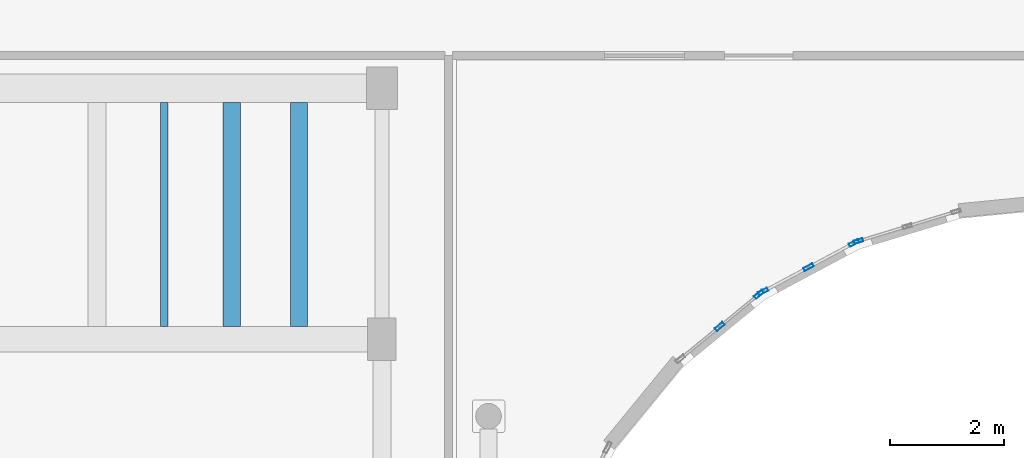
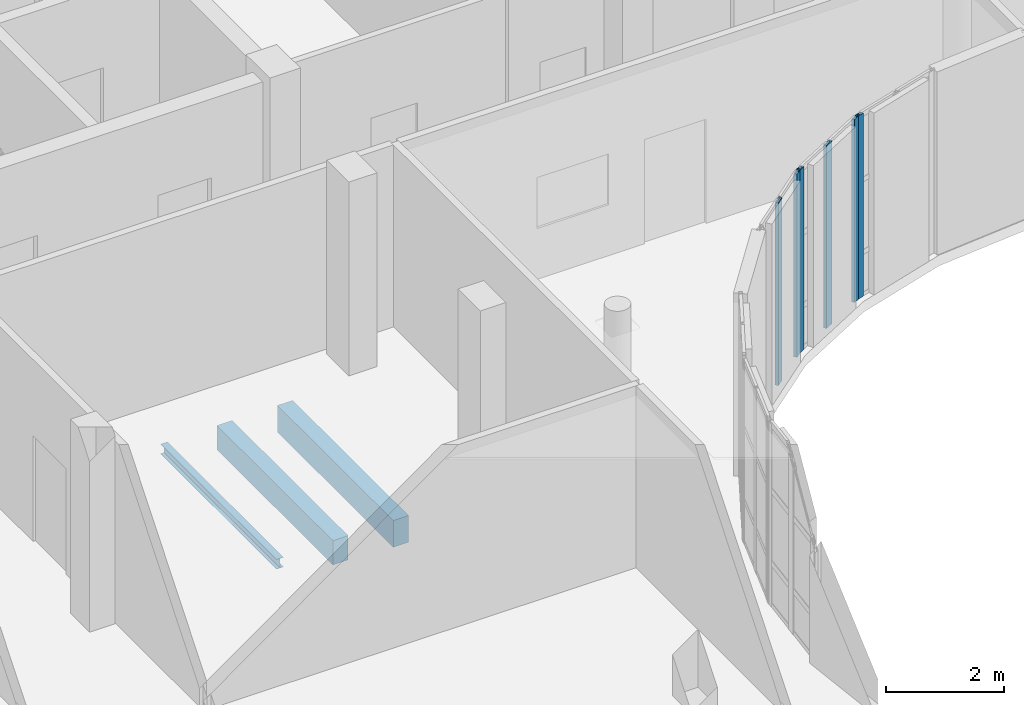
# One storey, part 37 of 89: 6 members, 3 beams, 3 elements without a shape of their own.
"""IFC4 building model written with IfcOpenShell, lengths in metres."""

from ifc_helpers import new_model, si_unit, direction, frame, origin, origin_2d, place, context, subcontext, project, spatial, rectangle, hollow_rectangle, i_section, extrude, material, layer, layer_set, material_profile, profile_set, type_object, element, aggregate, save


model = new_model("IFC4")

# Units and contexts
model_context = context("Model", 3, precision=1e-05, world=origin(), true_north=direction((0.0, 1.0)))
body_context = subcontext(model_context, "Body", "Model", "MODEL_VIEW")
ifc_project = project(units=[si_unit("LENGTHUNIT", "METRE"), si_unit("AREAUNIT", "SQUARE_METRE"), si_unit("VOLUMEUNIT", "CUBIC_METRE"), si_unit("PLANEANGLEUNIT", "RADIAN"), si_unit("MASSUNIT", "GRAM", prefix="KILO")], contexts=[model_context])

# Site, building, storey
site_placement = place(None, origin())
site = spatial("IfcSite", under=ifc_project, at=site_placement, CompositionType="ELEMENT")
building_placement = place(site_placement, origin())
building = spatial("IfcBuilding", under=site, at=building_placement, Name="Kelanivale Promenade Academy", CompositionType="ELEMENT")
storey_placement = place(building_placement, frame((0.0, 0.0, 12.199951171875)))
storey = spatial("IfcBuildingStorey", under=building, at=storey_placement, Name="L03", CompositionType="ELEMENT", Elevation=12.199951171875)

# Curtain wall, member
ifc_material_1 = material(Name="Bronze anodised aluminium and solar-control low-E glass", Category="aluminium")
ifc_layer_1 = layer(ifc_material_1, 0.179931640625)
ifc_layer_set_1 = layer_set([ifc_layer_1], Name="Bronze anodised aluminium and solar-control low-E glass")
curtain_wall_type_1 = type_object("IfcCurtainWallType", Name="CW-17 Curtain Wall 1950mm Module", PredefinedType="USERDEFINED", material=ifc_layer_set_1)
curtain_wall_1_placement = place(storey_placement, origin())
curtain_wall_1 = element("IfcCurtainWall", 1, at=curtain_wall_1_placement, inside=storey, type_object=curtain_wall_type_1, Name="L03 courtyard curtain wall CW-17", ObjectType="COURTYARD SCREEN GLAZING", PredefinedType="USERDEFINED")
ifc_material_2 = material(Name="Bronze anodised aluminium EN AW-6063 T6", Category="aluminium")
ifc_material_profile_1 = material_profile(ifc_material_2, hollow_rectangle(XDim=0.06005859375, YDim=0.159912109375, WallThickness=0.00390625, at=origin_2d()), Name="ALU 60x160x4.0")
ifc_profile_set_1 = profile_set([ifc_material_profile_1], Name="Bronze anodised aluminium EN AW-6063 T6")
member_type_1 = type_object("IfcMemberType", Name="CWM-01 ALU 60x160x4.0", PredefinedType="MULLION", material=ifc_profile_set_1)
member_1_placement = place(storey_placement, frame((95.152587890625, 65.7197265625, 0.0), z_axis=(0.0, 0.0, 1.0), x_axis=(0.290127576893, -0.956987977524, 0.0)))
member_1 = element("IfcMember", 2, at=member_1_placement, type_object=member_type_1, Name="CW-17 mullion 3", PredefinedType="MULLION", context=body_context, shape_type="SweptSolid", body=[
    extrude(hollow_rectangle(XDim=0.06005859375, YDim=0.159912109375, WallThickness=0.00390625, at=origin_2d()), origin(), (0.0, 0.0, 1.0), 3.780029296875),
])
aggregate(curtain_wall_1, [member_1])

# Curtain wall, members
ifc_layer_2 = layer(ifc_material_1, 0.159912109375)
ifc_layer_set_2 = layer_set([ifc_layer_2], Name="Bronze anodised aluminium and solar-control low-E glass")
curtain_wall_type_2 = type_object("IfcCurtainWallType", Name="CW-18 Curtain Wall 1200mm Module", PredefinedType="USERDEFINED", material=ifc_layer_set_2)
curtain_wall_2_placement = place(storey_placement, origin())
curtain_wall_2 = element("IfcCurtainWall", 3, at=curtain_wall_2_placement, inside=storey, type_object=curtain_wall_type_2, Name="L03 courtyard curtain wall CW-18", ObjectType="COURTYARD SCREEN GLAZING", PredefinedType="USERDEFINED")
ifc_material_profile_2 = material_profile(ifc_material_2, hollow_rectangle(XDim=0.06005859375, YDim=0.179931640625, WallThickness=0.00390625, at=origin_2d()), Name="ALU 60x180x4.0")
ifc_profile_set_2 = profile_set([ifc_material_profile_2], Name="Bronze anodised aluminium EN AW-6063 T6")
member_type_2 = type_object("IfcMemberType", Name="CWM-02 ALU 60x180x4.0", PredefinedType="MULLION", material=ifc_profile_set_2)
member_2_placement = place(storey_placement, frame((95.072509765625, 65.685791015625, 0.0), z_axis=(0.0, 0.0, 1.0), x_axis=(0.471312481286, -0.881966294698, 0.0)))
member_2 = element("IfcMember", 4, at=member_2_placement, type_object=member_type_2, Name="CW-18 mullion 1", PredefinedType="MULLION", context=body_context, shape_type="SweptSolid", body=[
    extrude(hollow_rectangle(XDim=0.06005859375, YDim=0.179931640625, WallThickness=0.00390625, at=origin_2d()), origin(), (0.0, 0.0, 1.0), 3.780029296875),
])
member_3_placement = place(storey_placement, frame((94.277587890625, 65.260986328125, 0.0), z_axis=(0.0, 0.0, 1.0), x_axis=(0.471312481286, -0.881966294698, 0.0)))
member_3 = element("IfcMember", 5, at=member_3_placement, type_object=member_type_2, Name="CW-18 mullion 2", PredefinedType="MULLION", context=body_context, shape_type="SweptSolid", body=[
    extrude(hollow_rectangle(XDim=0.06005859375, YDim=0.179931640625, WallThickness=0.00390625, at=origin_2d()), origin(), (0.0, 0.0, 1.0), 3.780029296875),
])
member_4_placement = place(storey_placement, frame((93.482421875, 64.836181640625, 0.0), z_axis=(0.0, 0.0, 1.0), x_axis=(0.471312481286, -0.881966294698, 0.0)))
member_4 = element("IfcMember", 6, at=member_4_placement, type_object=member_type_2, Name="CW-18 mullion 3", PredefinedType="MULLION", context=body_context, shape_type="SweptSolid", body=[
    extrude(hollow_rectangle(XDim=0.06005859375, YDim=0.179931640625, WallThickness=0.00390625, at=origin_2d()), origin(), (0.0, 0.0, 1.0), 3.780029296875),
])
aggregate(curtain_wall_2, [member_2, member_3, member_4])

ifc_layer_3 = layer(ifc_material_1, 0.169921875)
ifc_layer_set_3 = layer_set([ifc_layer_3], Name="Bronze anodised aluminium and solar-control low-E glass")
curtain_wall_type_3 = type_object("IfcCurtainWallType", Name="CW-19 Curtain Wall 1350mm Module", PredefinedType="USERDEFINED", material=ifc_layer_set_3)
curtain_wall_3_placement = place(storey_placement, origin())
curtain_wall_3 = element("IfcCurtainWall", 7, at=curtain_wall_3_placement, inside=storey, type_object=curtain_wall_type_3, Name="L03 courtyard curtain wall CW-19", ObjectType="COURTYARD SCREEN GLAZING", PredefinedType="USERDEFINED")
ifc_material_profile_3 = material_profile(ifc_material_2, hollow_rectangle(XDim=0.06494140625, YDim=0.175048828125, WallThickness=0.00390625, at=origin_2d()), Name="ALU 65x175x4.0")
ifc_profile_set_3 = profile_set([ifc_material_profile_3], Name="Bronze anodised aluminium EN AW-6063 T6")
member_type_3 = type_object("IfcMemberType", Name="CWM-03 ALU 65x175x4.0", PredefinedType="MULLION", material=ifc_profile_set_3)
member_5_placement = place(storey_placement, frame((93.407958984375, 64.786376953125, 0.0), z_axis=(0.0, 0.0, 1.0), x_axis=(0.634092539482, -0.773257170269, 0.0)))
member_5 = element("IfcMember", 8, at=member_5_placement, type_object=member_type_3, Name="CW-19 mullion 1", PredefinedType="MULLION", context=body_context, shape_type="SweptSolid", body=[
    extrude(hollow_rectangle(XDim=0.06494140625, YDim=0.175048828125, WallThickness=0.00390625, at=origin_2d()), origin(), (0.0, 0.0, 1.0), 3.780029296875),
])
member_6_placement = place(storey_placement, frame((92.718994140625, 64.221435546875, 0.0), z_axis=(0.0, 0.0, 1.0), x_axis=(0.634092539482, -0.773257170269, 0.0)))
member_6 = element("IfcMember", 9, at=member_6_placement, type_object=member_type_3, Name="CW-19 mullion 2", PredefinedType="MULLION", context=body_context, shape_type="SweptSolid", body=[
    extrude(hollow_rectangle(XDim=0.06494140625, YDim=0.175048828125, WallThickness=0.00390625, at=origin_2d()), origin(), (0.0, 0.0, 1.0), 3.780029296875),
])
aggregate(curtain_wall_3, [member_5, member_6])

# Beams
ifc_material_3 = material(Name="Concrete C35/45", Category="concrete")
ifc_material_profile_4 = material_profile(ifc_material_3, rectangle(XDim=0.300048828125, YDim=0.5, at=origin_2d()), Name="RC-BM 300x500")
ifc_profile_set_4 = profile_set([ifc_material_profile_4], Name="Concrete C35/45")
beam_type_1 = type_object("IfcBeamType", Name="JS-01 RC-BM 300x500", PredefinedType="JOIST", material=ifc_profile_set_4)
beam_1_placement = place(storey_placement, frame((84.16796875, 64.22509765625, -0.469970703125), z_axis=(0.0, 1.0, 0.0), x_axis=(-1.0, 0.0, 0.0)))
element("IfcBeam", 10, at=beam_1_placement, inside=storey, type_object=beam_type_1, Name="L03 secondary sub-beam JS-01", PredefinedType="JOIST", context=body_context, shape_type="SweptSolid", body=[
    extrude(rectangle(XDim=0.300048828125, YDim=0.5, at=origin_2d()), origin(), (0.0, 0.0, 1.0), 3.9248046875),
])
ifc_material_profile_5 = material_profile(ifc_material_3, rectangle(XDim=0.300048828125, YDim=0.550048828125, at=origin_2d()), Name="RC-BM 300x550")
ifc_profile_set_5 = profile_set([ifc_material_profile_5], Name="Concrete C35/45")
beam_type_2 = type_object("IfcBeamType", Name="JS-02 RC-BM 300x550", PredefinedType="JOIST", material=ifc_profile_set_5)
beam_2_placement = place(storey_placement, frame((85.34912109375, 64.22509765625, -0.494873046875), z_axis=(0.0, 1.0, 0.0), x_axis=(-1.0, 0.0, 0.0)))
element("IfcBeam", 11, at=beam_2_placement, inside=storey, type_object=beam_type_2, Name="L03 secondary sub-beam JS-02", PredefinedType="JOIST", context=body_context, shape_type="SweptSolid", body=[
    extrude(rectangle(XDim=0.300048828125, YDim=0.550048828125, at=origin_2d()), origin(), (0.0, 0.0, 1.0), 3.9248046875),
])
ifc_material_4 = material(Name="Steel S355", Category="steel")
ifc_material_profile_6 = material_profile(ifc_material_4, i_section(OverallWidth=0.13330078125, OverallDepth=0.203125, WebThickness=0.005615234375, FlangeThickness=0.0078125, FilletRadius=0.007568359375, at=origin_2d()), Name="UB 203x133x25")
ifc_profile_set_6 = profile_set([ifc_material_profile_6], Name="Steel S355")
beam_type_3 = type_object("IfcBeamType", Name="SB-01 UB 203x133x25", PredefinedType="JOIST", material=ifc_profile_set_6)
beam_3_placement = place(storey_placement, frame((82.987060546875, 64.22509765625, -0.322021484375), z_axis=(0.0, 1.0, 0.0), x_axis=(-1.0, 0.0, 0.0)))
element("IfcBeam", 12, at=beam_3_placement, inside=storey, type_object=beam_type_3, Name="L03 secondary sub-beam SB-01", PredefinedType="JOIST", context=body_context, shape_type="SweptSolid", body=[
    extrude(i_section(OverallWidth=0.13330078125, OverallDepth=0.203125, WebThickness=0.005615234375, FlangeThickness=0.0078125, FilletRadius=0.007568359375, at=origin_2d()), origin(), (0.0, 0.0, 1.0), 3.9248046875),
])

save(model, "model.ifc")
